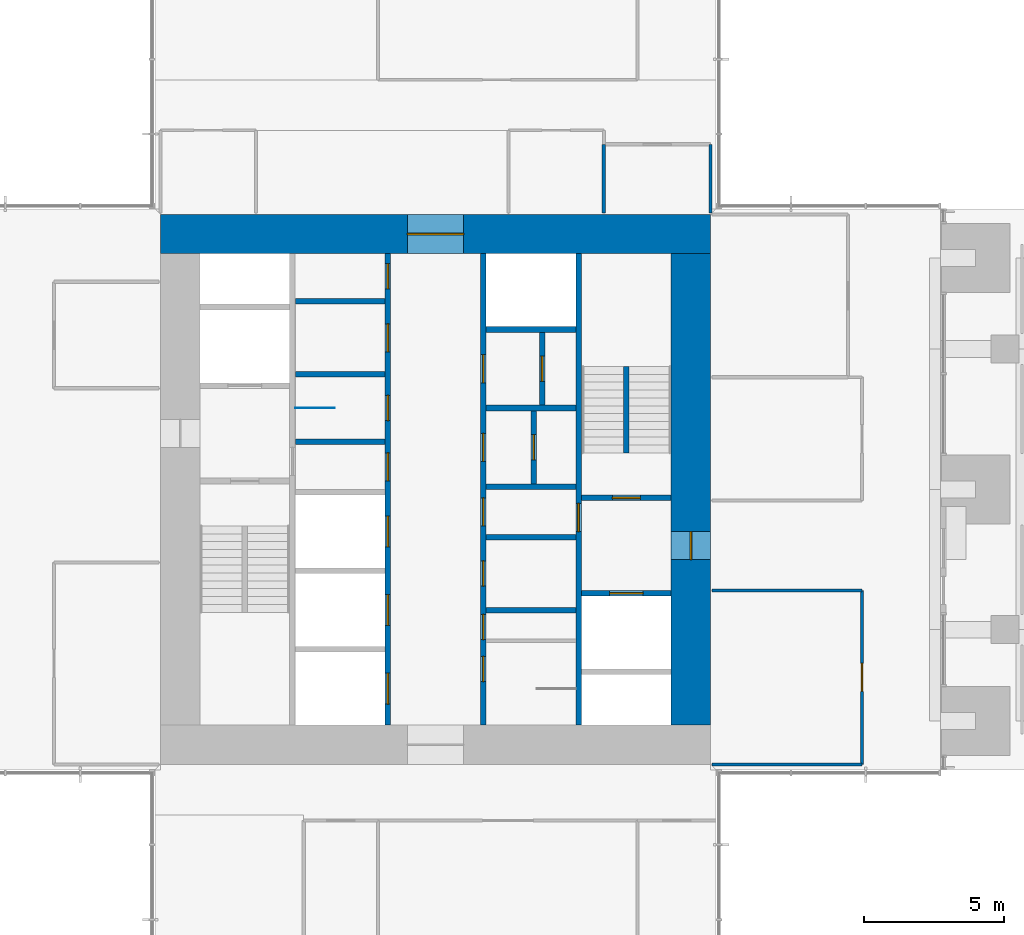
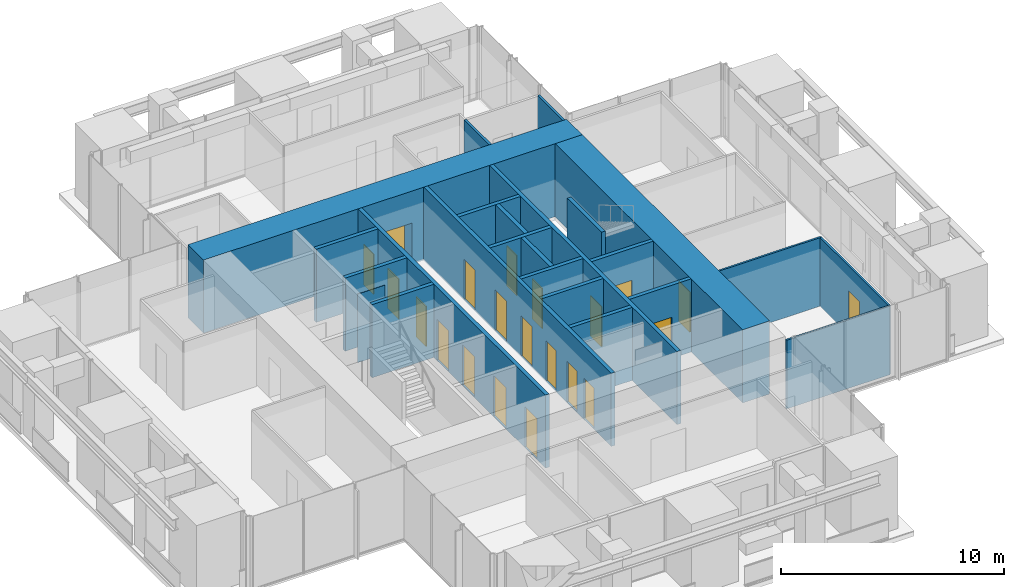
# One storey, part 13 of 17: 24 walls, 21 doors, 21 openings.
"""IFC4 building model written with IfcOpenShell, lengths in metres."""

from ifc_helpers import new_model, si_unit, direction, frame, frame_2d, origin, place, context, subcontext, project, spatial, rectangle, extrude, material, layer, layer_set, type_object, element, fill, save


model = new_model("IFC4")

# Units and contexts
model_context = context("Model", 3, precision=1e-05, world=origin(), true_north=direction((0.0, 1.0)))
body_context = subcontext(model_context, "Body", "Model", "MODEL_VIEW")
ifc_project = project(units=[si_unit("LENGTHUNIT", "METRE"), si_unit("AREAUNIT", "SQUARE_METRE"), si_unit("VOLUMEUNIT", "CUBIC_METRE"), si_unit("PLANEANGLEUNIT", "RADIAN"), si_unit("MASSUNIT", "GRAM", prefix="KILO")], contexts=[model_context])

# Site, building, storey
site_placement = place(None, origin())
site = spatial("IfcSite", under=ifc_project, at=site_placement, CompositionType="ELEMENT")
building_placement = place(site_placement, origin())
building = spatial("IfcBuilding", under=site, at=building_placement, Name="Svetlomir Tower", CompositionType="ELEMENT")
storey_placement = place(building_placement, frame((0.0, 0.0, 170.5)))
storey = spatial("IfcBuildingStorey", under=building, at=storey_placement, Name="L40", CompositionType="ELEMENT", Elevation=170.5)

# Wall, openings, doors
ifc_material_1 = material(Name="Concrete C60/75", Category="concrete")
ifc_layer_1 = layer(ifc_material_1, 0.199951171875)
ifc_layer_set_1 = layer_set([ifc_layer_1], Name="Concrete C60/75")
wall_type_1 = type_object("IfcWallType", Name="CORE INNER WALL 200", PredefinedType="SHEAR", material=ifc_layer_set_1)
wall_1_placement = place(storey_placement, frame((19.300048828125, 12.60009765625, -0.050048828125), z_axis=(0.0, 0.0, 1.0), x_axis=(0.0, 1.0, 0.0)))
wall_1 = element("IfcWall", 1, at=wall_1_placement, inside=storey, type_object=wall_type_1, Name="Core inner wall 19.3 L40", PredefinedType="SHEAR", context=body_context, shape_type="SweptSolid", body=[
    extrude(rectangle(XDim=16.7998046875, YDim=0.199951171875, at=frame_2d((8.39990234375, 0.0))), origin(), (0.0, 0.0, 1.0), 4.0),
])
opening_1_placement = place(wall_1_placement, frame((8.699951171875, 0.0, 0.050048828125)))
opening_1 = element("IfcOpeningElement", 2, at=opening_1_placement, cuts=wall_1, Name="Opening DC", PredefinedType="OPENING", context=body_context, shape_type="SweptSolid", body=[
    extrude(rectangle(XDim=1.0, YDim=2.199951171875, at=frame_2d((0.5, 1.10009765625))), frame((0.0, 0.10986328125, 0.0), z_axis=(0.0, -1.0, 0.0), x_axis=(1.0, 0.0, 0.0)), (0.0, 0.0, 1.0), 0.219970703125),
])
opening_2_placement = place(wall_1_placement, frame((10.85009765625, 0.0, 0.050048828125)))
opening_2 = element("IfcOpeningElement", 3, at=opening_2_placement, cuts=wall_1, Name="Opening DW", PredefinedType="OPENING", context=body_context, shape_type="SweptSolid", body=[
    extrude(rectangle(XDim=0.89990234375, YDim=2.199951171875, at=frame_2d((0.449951171875, 1.10009765625))), frame((0.0, 0.10986328125, 0.0), z_axis=(0.0, -1.0, 0.0), x_axis=(1.0, 0.0, 0.0)), (0.0, 0.0, 1.0), 0.219970703125),
])
opening_3_placement = place(wall_1_placement, frame((13.300048828125, 0.0, 0.050048828125)))
opening_3 = element("IfcOpeningElement", 4, at=opening_3_placement, cuts=wall_1, Name="Opening DC", PredefinedType="OPENING", context=body_context, shape_type="SweptSolid", body=[
    extrude(rectangle(XDim=1.0, YDim=2.199951171875, at=frame_2d((0.5, 1.10009765625))), frame((0.0, 0.10986328125, 0.0), z_axis=(0.0, -1.0, 0.0), x_axis=(1.0, 0.0, 0.0)), (0.0, 0.0, 1.0), 0.219970703125),
])
opening_4_placement = place(wall_1_placement, frame((15.550048828125, 0.0, 0.050048828125)))
opening_4 = element("IfcOpeningElement", 5, at=opening_4_placement, cuts=wall_1, Name="Opening DW", PredefinedType="OPENING", context=body_context, shape_type="SweptSolid", body=[
    extrude(rectangle(XDim=0.89990234375, YDim=2.199951171875, at=frame_2d((0.449951171875, 1.10009765625))), frame((0.0, 0.10986328125, 0.0), z_axis=(0.0, -1.0, 0.0), x_axis=(1.0, 0.0, 0.0)), (0.0, 0.0, 1.0), 0.219970703125),
])
opening_5_placement = place(wall_1_placement, frame((0.75, 0.0, 0.050048828125)))
opening_5 = element("IfcOpeningElement", 6, at=opening_5_placement, cuts=wall_1, Name="Opening LD", PredefinedType="OPENING", context=body_context, shape_type="SweptSolid", body=[
    extrude(rectangle(XDim=1.10009765625, YDim=2.199951171875, at=frame_2d((0.550048828125, 1.10009765625))), frame((0.0, 0.10986328125, 0.0), z_axis=(0.0, -1.0, 0.0), x_axis=(1.0, 0.0, 0.0)), (0.0, 0.0, 1.0), 0.219970703125),
])
opening_6_placement = place(wall_1_placement, frame((3.550048828125, 0.0, 0.050048828125)))
opening_6 = element("IfcOpeningElement", 7, at=opening_6_placement, cuts=wall_1, Name="Opening LD", PredefinedType="OPENING", context=body_context, shape_type="SweptSolid", body=[
    extrude(rectangle(XDim=1.10009765625, YDim=2.199951171875, at=frame_2d((0.550048828125, 1.10009765625))), frame((0.0, 0.10986328125, 0.0), z_axis=(0.0, -1.0, 0.0), x_axis=(1.0, 0.0, 0.0)), (0.0, 0.0, 1.0), 0.219970703125),
])
opening_7_placement = place(wall_1_placement, frame((6.35009765625, 0.0, 0.050048828125)))
opening_7 = element("IfcOpeningElement", 8, at=opening_7_placement, cuts=wall_1, Name="Opening LD", PredefinedType="OPENING", context=body_context, shape_type="SweptSolid", body=[
    extrude(rectangle(XDim=1.10009765625, YDim=2.199951171875, at=frame_2d((0.550048828125, 1.10009765625))), frame((0.0, 0.10986328125, 0.0), z_axis=(0.0, -1.0, 0.0), x_axis=(1.0, 0.0, 0.0)), (0.0, 0.0, 1.0), 0.219970703125),
])
ifc_material_2 = material(Name="Timber fire door", Category="wood")
door_type_1 = type_object("IfcDoorType", Name="DOOR DC 1000x2200", OperationType="SINGLE_SWING_LEFT", PredefinedType="DOOR", material=ifc_material_2)
door_1_placement = place(opening_1_placement, origin())
door_1 = element("IfcDoor", 9, at=door_1_placement, inside=storey, type_object=door_type_1, Name="Core corridor west lobby door L40", OperationType="SINGLE_SWING_RIGHT", OverallHeight=2.199951171875, OverallWidth=1.0, PredefinedType="DOOR", context=body_context, shape_type="SweptSolid", body=[
    extrude(rectangle(XDim=1.0, YDim=2.199951171875, at=frame_2d((0.5, 1.10009765625))), frame((0.0, 0.02490234375, 0.0), z_axis=(0.0, -1.0, 0.0), x_axis=(1.0, 0.0, 0.0)), (0.0, 0.0, 1.0), 0.050048828125),
])
fill(opening_1, door_1)
door_2_placement = place(opening_3_placement, origin())
door_2 = element("IfcDoor", 10, at=door_2_placement, inside=storey, type_object=door_type_1, Name="Accessible WC door L40", OperationType="SINGLE_SWING_LEFT", OverallHeight=2.199951171875, OverallWidth=1.0, PredefinedType="DOOR", context=body_context, shape_type="SweptSolid", body=[
    extrude(rectangle(XDim=1.0, YDim=2.199951171875, at=frame_2d((0.5, 1.10009765625))), frame((0.0, 0.02490234375, 0.0), z_axis=(0.0, -1.0, 0.0), x_axis=(1.0, 0.0, 0.0)), (0.0, 0.0, 1.0), 0.050048828125),
])
fill(opening_3, door_2)
ifc_material_3 = material(Name="Timber fire door", Category="wood")
door_type_2 = type_object("IfcDoorType", Name="DOOR DW 900x2200", OperationType="SINGLE_SWING_LEFT", PredefinedType="DOOR", material=ifc_material_3)
door_3_placement = place(opening_2_placement, origin())
door_3 = element("IfcDoor", 11, at=door_3_placement, inside=storey, type_object=door_type_2, Name="Female WC door L40", OperationType="SINGLE_SWING_RIGHT", OverallHeight=2.199951171875, OverallWidth=0.89990234375, PredefinedType="DOOR", context=body_context, shape_type="SweptSolid", body=[
    extrude(rectangle(XDim=0.89990234375, YDim=2.199951171875, at=frame_2d((0.449951171875, 1.10009765625))), frame((0.0, 0.02490234375, 0.0), z_axis=(0.0, -1.0, 0.0), x_axis=(1.0, 0.0, 0.0)), (0.0, 0.0, 1.0), 0.050048828125),
])
fill(opening_2, door_3)
door_4_placement = place(opening_4_placement, origin())
door_4 = element("IfcDoor", 12, at=door_4_placement, inside=storey, type_object=door_type_2, Name="Cleaner's store door L40", OperationType="SINGLE_SWING_RIGHT", OverallHeight=2.199951171875, OverallWidth=0.89990234375, PredefinedType="DOOR", context=body_context, shape_type="SweptSolid", body=[
    extrude(rectangle(XDim=0.89990234375, YDim=2.199951171875, at=frame_2d((0.449951171875, 1.10009765625))), frame((0.0, 0.02490234375, 0.0), z_axis=(0.0, -1.0, 0.0), x_axis=(1.0, 0.0, 0.0)), (0.0, 0.0, 1.0), 0.050048828125),
])
fill(opening_4, door_4)
ifc_material_4 = material(Name="Stainless steel landing door", Category="steel")
door_type_3 = type_object("IfcDoorType", Name="LIFT LANDING DOOR LD 1100x2200", OperationType="DOUBLE_DOOR_SLIDING", PredefinedType="DOOR", material=ifc_material_4)
door_5_placement = place(opening_5_placement, origin())
door_5 = element("IfcDoor", 13, at=door_5_placement, inside=storey, type_object=door_type_3, Name="Landing door lift LC1 L40", OperationType="DOUBLE_DOOR_SLIDING", OverallHeight=2.199951171875, OverallWidth=1.10009765625, PredefinedType="DOOR", context=body_context, shape_type="SweptSolid", body=[
    extrude(rectangle(XDim=1.10009765625, YDim=2.199951171875, at=frame_2d((0.550048828125, 1.10009765625))), frame((0.0, 0.02490234375, 0.0), z_axis=(0.0, -1.0, 0.0), x_axis=(1.0, 0.0, 0.0)), (0.0, 0.0, 1.0), 0.050048828125),
])
fill(opening_5, door_5)
door_6_placement = place(opening_6_placement, origin())
door_6 = element("IfcDoor", 14, at=door_6_placement, inside=storey, type_object=door_type_3, Name="Landing door lift LC2 L40", OperationType="DOUBLE_DOOR_SLIDING", OverallHeight=2.199951171875, OverallWidth=1.10009765625, PredefinedType="DOOR", context=body_context, shape_type="SweptSolid", body=[
    extrude(rectangle(XDim=1.10009765625, YDim=2.199951171875, at=frame_2d((0.550048828125, 1.10009765625))), frame((0.0, 0.02490234375, 0.0), z_axis=(0.0, -1.0, 0.0), x_axis=(1.0, 0.0, 0.0)), (0.0, 0.0, 1.0), 0.050048828125),
])
fill(opening_6, door_6)
door_7_placement = place(opening_7_placement, origin())
door_7 = element("IfcDoor", 15, at=door_7_placement, inside=storey, type_object=door_type_3, Name="Landing door lift LC3 L40", OperationType="DOUBLE_DOOR_SLIDING", OverallHeight=2.199951171875, OverallWidth=1.10009765625, PredefinedType="DOOR", context=body_context, shape_type="SweptSolid", body=[
    extrude(rectangle(XDim=1.10009765625, YDim=2.199951171875, at=frame_2d((0.550048828125, 1.10009765625))), frame((0.0, 0.02490234375, 0.0), z_axis=(0.0, -1.0, 0.0), x_axis=(1.0, 0.0, 0.0)), (0.0, 0.0, 1.0), 0.050048828125),
])
fill(opening_7, door_7)

wall_2_placement = place(storey_placement, frame((22.699951171875, 12.60009765625, -0.050048828125), z_axis=(0.0, 0.0, 1.0), x_axis=(0.0, 1.0, 0.0)))
wall_2 = element("IfcWall", 16, at=wall_2_placement, inside=storey, type_object=wall_type_1, Name="Core inner wall 22.7 L40", PredefinedType="SHEAR", context=body_context, shape_type="SweptSolid", body=[
    extrude(rectangle(XDim=16.7998046875, YDim=0.199951171875, at=frame_2d((8.39990234375, 0.0))), origin(), (0.0, 0.0, 1.0), 4.0),
])
opening_8_placement = place(wall_2_placement, frame((3.050048828125, 0.0, 0.050048828125)))
opening_8 = element("IfcOpeningElement", 17, at=opening_8_placement, cuts=wall_2, Name="Opening DW", PredefinedType="OPENING", context=body_context, shape_type="SweptSolid", body=[
    extrude(rectangle(XDim=0.89990234375, YDim=2.199951171875, at=frame_2d((0.449951171875, 1.10009765625))), frame((0.0, 0.10986328125, 0.0), z_axis=(0.0, -1.0, 0.0), x_axis=(1.0, 0.0, 0.0)), (0.0, 0.0, 1.0), 0.219970703125),
])
opening_9_placement = place(wall_2_placement, frame((7.10009765625, 0.0, 0.050048828125)))
opening_9 = element("IfcOpeningElement", 18, at=opening_9_placement, cuts=wall_2, Name="Opening DC", PredefinedType="OPENING", context=body_context, shape_type="SweptSolid", body=[
    extrude(rectangle(XDim=1.0, YDim=2.199951171875, at=frame_2d((0.5, 1.10009765625))), frame((0.0, 0.10986328125, 0.0), z_axis=(0.0, -1.0, 0.0), x_axis=(1.0, 0.0, 0.0)), (0.0, 0.0, 1.0), 0.219970703125),
])
opening_10_placement = place(wall_2_placement, frame((1.550048828125, 0.0, 0.050048828125)))
opening_10 = element("IfcOpeningElement", 19, at=opening_10_placement, cuts=wall_2, Name="Opening DW", PredefinedType="OPENING", context=body_context, shape_type="SweptSolid", body=[
    extrude(rectangle(XDim=0.89990234375, YDim=2.199951171875, at=frame_2d((0.449951171875, 1.10009765625))), frame((0.0, 0.10986328125, 0.0), z_axis=(0.0, -1.0, 0.0), x_axis=(1.0, 0.0, 0.0)), (0.0, 0.0, 1.0), 0.219970703125),
])
opening_11_placement = place(wall_2_placement, frame((4.949951171875, 0.0, 0.050048828125)))
opening_11 = element("IfcOpeningElement", 20, at=opening_11_placement, cuts=wall_2, Name="Opening DW", PredefinedType="OPENING", context=body_context, shape_type="SweptSolid", body=[
    extrude(rectangle(XDim=0.89990234375, YDim=2.199951171875, at=frame_2d((0.449951171875, 1.10009765625))), frame((0.0, 0.10986328125, 0.0), z_axis=(0.0, -1.0, 0.0), x_axis=(1.0, 0.0, 0.0)), (0.0, 0.0, 1.0), 0.219970703125),
])
opening_12_placement = place(wall_2_placement, frame((9.39990234375, 0.0, 0.050048828125)))
opening_12 = element("IfcOpeningElement", 21, at=opening_12_placement, cuts=wall_2, Name="Opening DC", PredefinedType="OPENING", context=body_context, shape_type="SweptSolid", body=[
    extrude(rectangle(XDim=1.0, YDim=2.199951171875, at=frame_2d((0.5, 1.10009765625))), frame((0.0, 0.10986328125, 0.0), z_axis=(0.0, -1.0, 0.0), x_axis=(1.0, 0.0, 0.0)), (0.0, 0.0, 1.0), 0.219970703125),
])
opening_13_placement = place(wall_2_placement, frame((12.199951171875, 0.0, 0.050048828125)))
opening_13 = element("IfcOpeningElement", 22, at=opening_13_placement, cuts=wall_2, Name="Opening DC", PredefinedType="OPENING", context=body_context, shape_type="SweptSolid", body=[
    extrude(rectangle(XDim=1.0, YDim=2.199951171875, at=frame_2d((0.5, 1.10009765625))), frame((0.0, 0.10986328125, 0.0), z_axis=(0.0, -1.0, 0.0), x_axis=(1.0, 0.0, 0.0)), (0.0, 0.0, 1.0), 0.219970703125),
])
door_8_placement = place(opening_9_placement, origin())
door_8 = element("IfcDoor", 23, at=door_8_placement, inside=storey, type_object=door_type_1, Name="Core corridor east lobby door L40", OperationType="SINGLE_SWING_LEFT", OverallHeight=2.199951171875, OverallWidth=1.0, PredefinedType="DOOR", context=body_context, shape_type="SweptSolid", body=[
    extrude(rectangle(XDim=1.0, YDim=2.199951171875, at=frame_2d((0.5, 1.10009765625))), frame((0.0, 0.02490234375, 0.0), z_axis=(0.0, -1.0, 0.0), x_axis=(1.0, 0.0, 0.0)), (0.0, 0.0, 1.0), 0.050048828125),
])
fill(opening_9, door_8)
door_9_placement = place(opening_12_placement, origin())
door_9 = element("IfcDoor", 24, at=door_9_placement, inside=storey, type_object=door_type_1, Name="Converted shaft BANK-E1 room door L40", OperationType="SINGLE_SWING_LEFT", OverallHeight=2.199951171875, OverallWidth=1.0, PredefinedType="DOOR", context=body_context, shape_type="SweptSolid", body=[
    extrude(rectangle(XDim=1.0, YDim=2.199951171875, at=frame_2d((0.5, 1.10009765625))), frame((0.0, 0.02490234375, 0.0), z_axis=(0.0, -1.0, 0.0), x_axis=(1.0, 0.0, 0.0)), (0.0, 0.0, 1.0), 0.050048828125),
])
fill(opening_12, door_9)
door_10_placement = place(opening_13_placement, origin())
door_10 = element("IfcDoor", 25, at=door_10_placement, inside=storey, type_object=door_type_1, Name="Converted shaft BANK-E2 room door L40", OperationType="SINGLE_SWING_LEFT", OverallHeight=2.199951171875, OverallWidth=1.0, PredefinedType="DOOR", context=body_context, shape_type="SweptSolid", body=[
    extrude(rectangle(XDim=1.0, YDim=2.199951171875, at=frame_2d((0.5, 1.10009765625))), frame((0.0, 0.02490234375, 0.0), z_axis=(0.0, -1.0, 0.0), x_axis=(1.0, 0.0, 0.0)), (0.0, 0.0, 1.0), 0.050048828125),
])
fill(opening_13, door_10)
door_11_placement = place(opening_8_placement, origin())
door_11 = element("IfcDoor", 26, at=door_11_placement, inside=storey, type_object=door_type_2, Name="Shower and changing room door L40", OperationType="SINGLE_SWING_LEFT", OverallHeight=2.199951171875, OverallWidth=0.89990234375, PredefinedType="DOOR", context=body_context, shape_type="SweptSolid", body=[
    extrude(rectangle(XDim=0.89990234375, YDim=2.199951171875, at=frame_2d((0.449951171875, 1.10009765625))), frame((0.0, 0.02490234375, 0.0), z_axis=(0.0, -1.0, 0.0), x_axis=(1.0, 0.0, 0.0)), (0.0, 0.0, 1.0), 0.050048828125),
])
fill(opening_8, door_11)
door_12_placement = place(opening_10_placement, origin())
door_12 = element("IfcDoor", 27, at=door_12_placement, inside=storey, type_object=door_type_2, Name="Male WC door L40", OperationType="SINGLE_SWING_RIGHT", OverallHeight=2.199951171875, OverallWidth=0.89990234375, PredefinedType="DOOR", context=body_context, shape_type="SweptSolid", body=[
    extrude(rectangle(XDim=0.89990234375, YDim=2.199951171875, at=frame_2d((0.449951171875, 1.10009765625))), frame((0.0, 0.02490234375, 0.0), z_axis=(0.0, -1.0, 0.0), x_axis=(1.0, 0.0, 0.0)), (0.0, 0.0, 1.0), 0.050048828125),
])
fill(opening_10, door_12)
door_13_placement = place(opening_11_placement, origin())
door_13 = element("IfcDoor", 28, at=door_13_placement, inside=storey, type_object=door_type_2, Name="Comms room door L40", OperationType="SINGLE_SWING_RIGHT", OverallHeight=2.199951171875, OverallWidth=0.89990234375, PredefinedType="DOOR", context=body_context, shape_type="SweptSolid", body=[
    extrude(rectangle(XDim=0.89990234375, YDim=2.199951171875, at=frame_2d((0.449951171875, 1.10009765625))), frame((0.0, 0.02490234375, 0.0), z_axis=(0.0, -1.0, 0.0), x_axis=(1.0, 0.0, 0.0)), (0.0, 0.0, 1.0), 0.050048828125),
])
fill(opening_11, door_13)

# Wall, opening, door
wall_3_placement = place(storey_placement, frame((26.10009765625, 12.60009765625, -0.050048828125), z_axis=(0.0, 0.0, 1.0), x_axis=(0.0, 1.0, 0.0)))
wall_3 = element("IfcWall", 29, at=wall_3_placement, inside=storey, type_object=wall_type_1, Name="Core inner wall 26.1 L40", PredefinedType="SHEAR", context=body_context, shape_type="SweptSolid", body=[
    extrude(rectangle(XDim=16.7998046875, YDim=0.199951171875, at=frame_2d((8.39990234375, 0.0))), origin(), (0.0, 0.0, 1.0), 4.0),
])
opening_14_placement = place(wall_3_placement, frame((6.89990234375, 0.0, 0.050048828125)))
opening_14 = element("IfcOpeningElement", 30, at=opening_14_placement, cuts=wall_3, Name="Opening DF", PredefinedType="OPENING", context=body_context, shape_type="SweptSolid", body=[
    extrude(rectangle(XDim=1.0, YDim=2.199951171875, at=frame_2d((0.5, 1.10009765625))), frame((0.0, 0.10986328125, 0.0), z_axis=(0.0, -1.0, 0.0), x_axis=(1.0, 0.0, 0.0)), (0.0, 0.0, 1.0), 0.219970703125),
])
ifc_material_5 = material(Name="Steel fire door", Category="steel")
door_type_4 = type_object("IfcDoorType", Name="DOOR DF 1000x2200", OperationType="SINGLE_SWING_LEFT", PredefinedType="DOOR", material=ifc_material_5)
door_14_placement = place(opening_14_placement, origin())
door_14 = element("IfcDoor", 31, at=door_14_placement, inside=storey, type_object=door_type_4, Name="Core corridor east door L40", OperationType="SINGLE_SWING_LEFT", OverallHeight=2.199951171875, OverallWidth=1.0, PredefinedType="DOOR", context=body_context, shape_type="SweptSolid", body=[
    extrude(rectangle(XDim=1.0, YDim=2.199951171875, at=frame_2d((0.5, 1.10009765625))), frame((0.0, 0.02490234375, 0.0), z_axis=(0.0, -1.0, 0.0), x_axis=(1.0, 0.0, 0.0)), (0.0, 0.0, 1.0), 0.050048828125),
])
fill(opening_14, door_14)

# Walls
for number, where, z_axis, x_axis, name in (
    (32, (16.0, 22.699951171875, -0.050048828125), (0.0, 0.0, 1.0), (1.0, 0.0, 0.0), "Core inner wall 16-19.2/22.7 L40"),
    (33, (16.0, 25.10009765625, -0.050048828125), (0.0, 0.0, 1.0), (1.0, 0.0, 0.0), "Core inner wall 16-19.2/25.1 L40"),
    (34, (16.0, 27.699951171875, -0.050048828125), (0.0, 0.0, 1.0), (1.0, 0.0, 0.0), "Core inner wall 16-19.2/27.7 L40"),
    (35, (22.800048828125, 16.699951171875, -0.050048828125), (0.0, 0.0, 1.0), (1.0, 0.0, 0.0), "Core inner wall 22.8-26/16.7 L40"),
    (36, (22.800048828125, 19.300048828125, -0.050048828125), (0.0, 0.0, 1.0), (1.0, 0.0, 0.0), "Core inner wall 22.8-26/19.3 L40"),
    (37, (22.800048828125, 21.10009765625, -0.050048828125), (0.0, 0.0, 1.0), (1.0, 0.0, 0.0), "Core inner wall 22.8-26/21.1 L40"),
    (38, (22.800048828125, 23.89990234375, -0.050048828125), (0.0, 0.0, 1.0), (1.0, 0.0, 0.0), "Core inner wall 22.8-26/23.9 L40"),
    (39, (22.800048828125, 26.699951171875, -0.050048828125), (0.0, 0.0, 1.0), (1.0, 0.0, 0.0), "Core inner wall 22.8-26/26.7 L40"),
):
    element("IfcWall", number, at=place(storey_placement, frame(where, z_axis=z_axis, x_axis=x_axis)), inside=storey, type_object=wall_type_1, Name=name, PredefinedType="SHEAR", context=body_context, shape_type="SweptSolid", body=[
        extrude(rectangle(XDim=3.199951171875, YDim=0.199951171875, at=frame_2d((1.60009765625, 0.0))), origin(), (0.0, 0.0, 1.0), 4.0),
    ])

# Wall, opening, door
wall_4_placement = place(storey_placement, frame((26.199951171875, 17.300048828125, -0.050048828125), z_axis=(0.0, 0.0, 1.0), x_axis=(1.0, 0.0, 0.0)))
wall_4 = element("IfcWall", 40, at=wall_4_placement, inside=storey, type_object=wall_type_1, Name="Core inner wall 26.2-29.4/17.3 L40", PredefinedType="SHEAR", context=body_context, shape_type="SweptSolid", body=[
    extrude(rectangle(XDim=3.199951171875, YDim=0.199951171875, at=frame_2d((1.60009765625, 0.0))), origin(), (0.0, 0.0, 1.0), 4.0),
])
opening_15_placement = place(wall_4_placement, frame((1.0, 0.0, 0.050048828125)))
opening_15 = element("IfcOpeningElement", 41, at=opening_15_placement, cuts=wall_4, Name="Opening LD3", PredefinedType="OPENING", context=body_context, shape_type="SweptSolid", body=[
    extrude(rectangle(XDim=1.199951171875, YDim=2.199951171875, at=frame_2d((0.60009765625, 1.10009765625))), frame((0.0, 0.10986328125, 0.0), z_axis=(0.0, -1.0, 0.0), x_axis=(1.0, 0.0, 0.0)), (0.0, 0.0, 1.0), 0.219970703125),
])
ifc_material_6 = material(Name="Stainless steel fire-rated landing door", Category="steel")
door_type_5 = type_object("IfcDoorType", Name="FIREFIGHTING LIFT LANDING DOOR LD3 1200x2200", OperationType="DOUBLE_DOOR_SLIDING", PredefinedType="DOOR", material=ifc_material_6)
door_15_placement = place(opening_15_placement, origin())
door_15 = element("IfcDoor", 42, at=door_15_placement, inside=storey, type_object=door_type_5, Name="Landing door lift FL2 L40", OperationType="DOUBLE_DOOR_SLIDING", OverallHeight=2.199951171875, OverallWidth=1.199951171875, PredefinedType="DOOR", context=body_context, shape_type="SweptSolid", body=[
    extrude(rectangle(XDim=1.199951171875, YDim=2.199951171875, at=frame_2d((0.60009765625, 1.10009765625))), frame((0.0, 0.02490234375, 0.0), z_axis=(0.0, -1.0, 0.0), x_axis=(1.0, 0.0, 0.0)), (0.0, 0.0, 1.0), 0.050048828125),
])
fill(opening_15, door_15)

wall_5_placement = place(storey_placement, frame((26.199951171875, 20.699951171875, -0.050048828125), z_axis=(0.0, 0.0, 1.0), x_axis=(1.0, 0.0, 0.0)))
wall_5 = element("IfcWall", 43, at=wall_5_placement, inside=storey, type_object=wall_type_1, Name="Core inner wall 26.2-29.4/20.7 L40", PredefinedType="SHEAR", context=body_context, shape_type="SweptSolid", body=[
    extrude(rectangle(XDim=3.199951171875, YDim=0.199951171875, at=frame_2d((1.60009765625, 0.0))), origin(), (0.0, 0.0, 1.0), 4.0),
])
opening_16_placement = place(wall_5_placement, frame((1.10009765625, 0.0, 0.050048828125)))
opening_16 = element("IfcOpeningElement", 44, at=opening_16_placement, cuts=wall_5, Name="Opening DF", PredefinedType="OPENING", context=body_context, shape_type="SweptSolid", body=[
    extrude(rectangle(XDim=1.0, YDim=2.199951171875, at=frame_2d((0.5, 1.10009765625))), frame((0.0, 0.10986328125, 0.0), z_axis=(0.0, -1.0, 0.0), x_axis=(1.0, 0.0, 0.0)), (0.0, 0.0, 1.0), 0.219970703125),
])
door_16_placement = place(opening_16_placement, origin())
door_16 = element("IfcDoor", 45, at=door_16_placement, inside=storey, type_object=door_type_4, Name="Stair S2 door L40", OperationType="SINGLE_SWING_LEFT", OverallHeight=2.199951171875, OverallWidth=1.0, PredefinedType="DOOR", context=body_context, shape_type="SweptSolid", body=[
    extrude(rectangle(XDim=1.0, YDim=2.199951171875, at=frame_2d((0.5, 1.10009765625))), frame((0.0, 0.02490234375, 0.0), z_axis=(0.0, -1.0, 0.0), x_axis=(1.0, 0.0, 0.0)), (0.0, 0.0, 1.0), 0.050048828125),
])
fill(opening_16, door_16)

wall_6_placement = place(storey_placement, frame((24.5, 21.199951171875, -0.050048828125), z_axis=(0.0, 0.0, 1.0), x_axis=(0.0, 1.0, 0.0)))
wall_6 = element("IfcWall", 46, at=wall_6_placement, inside=storey, type_object=wall_type_1, Name="Core inner wall 24.5/21.2-23.8 L40", PredefinedType="SHEAR", context=body_context, shape_type="SweptSolid", body=[
    extrude(rectangle(XDim=2.60009765625, YDim=0.199951171875, at=frame_2d((1.300048828125, 0.0))), origin(), (0.0, 0.0, 1.0), 4.0),
])
opening_17_placement = place(wall_6_placement, frame((0.85009765625, 0.0, 0.050048828125)))
opening_17 = element("IfcOpeningElement", 47, at=opening_17_placement, cuts=wall_6, Name="Opening DW", PredefinedType="OPENING", context=body_context, shape_type="SweptSolid", body=[
    extrude(rectangle(XDim=0.89990234375, YDim=2.199951171875, at=frame_2d((0.449951171875, 1.10009765625))), frame((0.0, 0.10986328125, 0.0), z_axis=(0.0, -1.0, 0.0), x_axis=(1.0, 0.0, 0.0)), (0.0, 0.0, 1.0), 0.219970703125),
])
door_17_placement = place(opening_17_placement, origin())
door_17 = element("IfcDoor", 48, at=door_17_placement, inside=storey, type_object=door_type_2, Name="Converted shaft BANK-E1 back room door L40", OperationType="SINGLE_SWING_RIGHT", OverallHeight=2.199951171875, OverallWidth=0.89990234375, PredefinedType="DOOR", context=body_context, shape_type="SweptSolid", body=[
    extrude(rectangle(XDim=0.89990234375, YDim=2.199951171875, at=frame_2d((0.449951171875, 1.10009765625))), frame((0.0, 0.02490234375, 0.0), z_axis=(0.0, -1.0, 0.0), x_axis=(1.0, 0.0, 0.0)), (0.0, 0.0, 1.0), 0.050048828125),
])
fill(opening_17, door_17)

wall_7_placement = place(storey_placement, frame((24.800048828125, 24.0, -0.050048828125), z_axis=(0.0, 0.0, 1.0), x_axis=(0.0, 1.0, 0.0)))
wall_7 = element("IfcWall", 49, at=wall_7_placement, inside=storey, type_object=wall_type_1, Name="Core inner wall 24.8/24-26.6 L40", PredefinedType="SHEAR", context=body_context, shape_type="SweptSolid", body=[
    extrude(rectangle(XDim=2.60009765625, YDim=0.199951171875, at=frame_2d((1.300048828125, 0.0))), origin(), (0.0, 0.0, 1.0), 4.0),
])
opening_18_placement = place(wall_7_placement, frame((0.85009765625, 0.0, 0.050048828125)))
opening_18 = element("IfcOpeningElement", 50, at=opening_18_placement, cuts=wall_7, Name="Opening DW", PredefinedType="OPENING", context=body_context, shape_type="SweptSolid", body=[
    extrude(rectangle(XDim=0.89990234375, YDim=2.199951171875, at=frame_2d((0.449951171875, 1.10009765625))), frame((0.0, 0.10986328125, 0.0), z_axis=(0.0, -1.0, 0.0), x_axis=(1.0, 0.0, 0.0)), (0.0, 0.0, 1.0), 0.219970703125),
])
door_18_placement = place(opening_18_placement, origin())
door_18 = element("IfcDoor", 51, at=door_18_placement, inside=storey, type_object=door_type_2, Name="Converted shaft BANK-E2 back room door L40", OperationType="SINGLE_SWING_RIGHT", OverallHeight=2.199951171875, OverallWidth=0.89990234375, PredefinedType="DOOR", context=body_context, shape_type="SweptSolid", body=[
    extrude(rectangle(XDim=0.89990234375, YDim=2.199951171875, at=frame_2d((0.449951171875, 1.10009765625))), frame((0.0, 0.02490234375, 0.0), z_axis=(0.0, -1.0, 0.0), x_axis=(1.0, 0.0, 0.0)), (0.0, 0.0, 1.0), 0.050048828125),
])
fill(opening_18, door_18)

ifc_material_7 = material(Name="Concrete C60/75", Category="concrete")
ifc_layer_2 = layer(ifc_material_7, 1.39990234375)
ifc_layer_set_2 = layer_set([ifc_layer_2], Name="Concrete C60/75")
wall_type_2 = type_object("IfcWallType", Name="CORE WALL 1400", PredefinedType="SHEAR", material=ifc_layer_set_2)
wall_8_placement = place(storey_placement, frame((11.199951171875, 30.10009765625, -0.050048828125), z_axis=(0.0, 0.0, 1.0), x_axis=(1.0, 0.0, 0.0)))
wall_8 = element("IfcWall", 52, at=wall_8_placement, inside=storey, type_object=wall_type_2, Name="Core wall north L40", PredefinedType="SHEAR", context=body_context, shape_type="SweptSolid", body=[
    extrude(rectangle(XDim=19.60009765625, YDim=1.39990234375, at=frame_2d((9.800048828125, 0.0))), origin(), (0.0, 0.0, 1.0), 4.0),
])
opening_19_placement = place(wall_8_placement, frame((8.800048828125, 0.0, 0.050048828125)))
opening_19 = element("IfcOpeningElement", 53, at=opening_19_placement, cuts=wall_8, Name="Opening DL", PredefinedType="OPENING", context=body_context, shape_type="SweptSolid", body=[
    extrude(rectangle(XDim=2.0, YDim=2.199951171875, at=frame_2d((1.0, 1.10009765625))), frame((0.0, 0.7099609375, 0.0), z_axis=(0.0, -1.0, 0.0), x_axis=(1.0, 0.0, 0.0)), (0.0, 0.0, 1.0), 1.419921875),
])
ifc_material_8 = material(Name="Steel fire door", Category="steel")
door_type_6 = type_object("IfcDoorType", Name="DOOR DL 2000x2200", OperationType="DOUBLE_DOOR_SINGLE_SWING", PredefinedType="DOOR", material=ifc_material_8)
door_19_placement = place(opening_19_placement, origin())
door_19 = element("IfcDoor", 54, at=door_19_placement, inside=storey, type_object=door_type_6, Name="Lift lobby north door L40", OperationType="DOUBLE_DOOR_SINGLE_SWING", OverallHeight=2.199951171875, OverallWidth=2.0, PredefinedType="DOOR", context=body_context, shape_type="SweptSolid", body=[
    extrude(rectangle(XDim=2.0, YDim=2.199951171875, at=frame_2d((1.0, 1.10009765625))), frame((0.0, 0.02490234375, 0.0), z_axis=(0.0, -1.0, 0.0), x_axis=(1.0, 0.0, 0.0)), (0.0, 0.0, 1.0), 0.050048828125),
])
fill(opening_19, door_19)

wall_9_placement = place(storey_placement, frame((30.10009765625, 12.60009765625, -0.050048828125), z_axis=(0.0, 0.0, 1.0), x_axis=(0.0, 1.0, 0.0)))
wall_9 = element("IfcWall", 55, at=wall_9_placement, inside=storey, type_object=wall_type_2, Name="Core wall east L40", PredefinedType="SHEAR", context=body_context, shape_type="SweptSolid", body=[
    extrude(rectangle(XDim=16.7998046875, YDim=1.39990234375, at=frame_2d((8.39990234375, 0.0))), origin(), (0.0, 0.0, 1.0), 4.0),
])
opening_20_placement = place(wall_9_placement, frame((5.89990234375, 0.0, 0.050048828125)))
opening_20 = element("IfcOpeningElement", 56, at=opening_20_placement, cuts=wall_9, Name="Opening DF", PredefinedType="OPENING", context=body_context, shape_type="SweptSolid", body=[
    extrude(rectangle(XDim=1.0, YDim=2.199951171875, at=frame_2d((0.5, 1.10009765625))), frame((0.0, 0.7099609375, 0.0), z_axis=(0.0, -1.0, 0.0), x_axis=(1.0, 0.0, 0.0)), (0.0, 0.0, 1.0), 1.419921875),
])
door_20_placement = place(opening_20_placement, origin())
door_20 = element("IfcDoor", 57, at=door_20_placement, inside=storey, type_object=door_type_4, Name="Firefighting lobby east door L40", OperationType="SINGLE_SWING_LEFT", OverallHeight=2.199951171875, OverallWidth=1.0, PredefinedType="DOOR", context=body_context, shape_type="SweptSolid", body=[
    extrude(rectangle(XDim=1.0, YDim=2.199951171875, at=frame_2d((0.5, 1.10009765625))), frame((0.0, 0.02490234375, 0.0), z_axis=(0.0, -1.0, 0.0), x_axis=(1.0, 0.0, 0.0)), (0.0, 0.0, 1.0), 0.050048828125),
])
fill(opening_20, door_20)

# Walls
ifc_material_9 = material(Name="Framed laminated glass partition", Category="glass")
ifc_layer_3 = layer(ifc_material_9, 0.10009765625)
ifc_layer_set_3 = layer_set([ifc_layer_3], Name="Framed laminated glass partition")
wall_type_3 = type_object("IfcWallType", Name="GLAZED PARTITION 100", PredefinedType="PARTITIONING", material=ifc_layer_set_3)
for number, where, z_axis, x_axis, name in (
    (58, (30.85009765625, 11.199951171875, 0.0), (0.0, 0.0, 1.0), (1.0, 0.0, 0.0), "Glazed partition L40"),
    (59, (30.85009765625, 17.39990234375, 0.0), (0.0, 0.0, 1.0), (1.0, 0.0, 0.0), "Glazed partition L40"),
):
    element("IfcWall", number, at=place(storey_placement, frame(where, z_axis=z_axis, x_axis=x_axis)), inside=storey, type_object=wall_type_3, Name=name, PredefinedType="PARTITIONING", context=body_context, shape_type="SweptSolid", body=[
        extrude(rectangle(XDim=5.349853515625, YDim=0.10009765625, at=frame_2d((2.6748046875, 0.0))), origin(), (0.0, 0.0, 1.0), 3.75),
    ])

# Wall, opening, door
wall_10_placement = place(storey_placement, frame((36.199951171875, 11.199951171875, 0.0), z_axis=(0.0, 0.0, 1.0), x_axis=(0.0, 1.0, 0.0)))
wall_10 = element("IfcWall", 60, at=wall_10_placement, inside=storey, type_object=wall_type_3, Name="Glazed partition L40", PredefinedType="PARTITIONING", context=body_context, shape_type="SweptSolid", body=[
    extrude(rectangle(XDim=6.199951171875, YDim=0.10009765625, at=frame_2d((3.10009765625, 0.0))), origin(), (0.0, 0.0, 1.0), 3.75),
])
opening_21_placement = place(wall_10_placement, frame((2.60009765625, 0.0, 0.0)))
opening_21 = element("IfcOpeningElement", 61, at=opening_21_placement, cuts=wall_10, Name="Opening DG", PredefinedType="OPENING", context=body_context, shape_type="SweptSolid", body=[
    extrude(rectangle(XDim=1.0, YDim=2.39990234375, at=frame_2d((0.5, 1.199951171875))), frame((0.0, 0.06005859375, 0.0), z_axis=(0.0, -1.0, 0.0), x_axis=(1.0, 0.0, 0.0)), (0.0, 0.0, 1.0), 0.1201171875),
])
ifc_material_10 = material(Name="Framed laminated glass door", Category="glass")
door_type_7 = type_object("IfcDoorType", Name="GLAZED DOOR DG 1000x2400", OperationType="SINGLE_SWING_LEFT", PredefinedType="DOOR", material=ifc_material_10)
door_21_placement = place(opening_21_placement, origin())
door_21 = element("IfcDoor", 62, at=door_21_placement, inside=storey, type_object=door_type_7, Name="Maker space door L40", OperationType="SINGLE_SWING_RIGHT", OverallHeight=2.39990234375, OverallWidth=1.0, PredefinedType="DOOR", context=body_context, shape_type="SweptSolid", body=[
    extrude(rectangle(XDim=1.0, YDim=2.39990234375, at=frame_2d((0.5, 1.199951171875))), frame((0.0, 0.02490234375, 0.0), z_axis=(0.0, -1.0, 0.0), x_axis=(1.0, 0.0, 0.0)), (0.0, 0.0, 1.0), 0.050048828125),
])
fill(opening_21, door_21)

# Walls
ifc_material_11 = material(Name="Gypsum board on steel studs", Category="steel")
ifc_layer_4 = layer(ifc_material_11, 0.1201171875)
ifc_layer_set_4 = layer_set([ifc_layer_4], Name="Gypsum board on steel studs")
wall_type_4 = type_object("IfcWallType", Name="PARTITION 120", PredefinedType="PARTITIONING", material=ifc_layer_set_4)
for number, where, z_axis, x_axis, name in (
    (63, (27.0, 30.85009765625, 0.0), (0.0, 0.0, 1.0), (0.0, 1.0, 0.0), "Partition L40"),
    (64, (30.800048828125, 30.85009765625, 0.0), (0.0, 0.0, 1.0), (0.0, 1.0, 0.0), "Partition L40"),
):
    element("IfcWall", number, at=place(storey_placement, frame(where, z_axis=z_axis, x_axis=x_axis)), inside=storey, type_object=wall_type_4, Name=name, PredefinedType="PARTITIONING", context=body_context, shape_type="SweptSolid", body=[
        extrude(rectangle(XDim=2.449951171875, YDim=0.1201171875, at=frame_2d((1.22509765625, 0.0))), origin(), (0.0, 0.0, 1.0), 3.75),
    ])
ifc_material_12 = material(Name="Concrete C60/75", Category="concrete")
ifc_layer_5 = layer(ifc_material_12, 0.199951171875)
ifc_layer_set_5 = layer_set([ifc_layer_5], Name="Concrete C60/75")
wall_type_5 = type_object("IfcWallType", Name="STAIR SPINE WALL 200", PredefinedType="PARTITIONING", material=ifc_layer_set_5)
wall_11_placement = place(storey_placement, frame((27.800048828125, 22.300048828125, 0.0), z_axis=(0.0, 0.0, 1.0), x_axis=(0.0, 1.0, 0.0)))
element("IfcWall", 65, at=wall_11_placement, inside=storey, type_object=wall_type_5, Name="Stair S2 spine wall L40", PredefinedType="PARTITIONING", context=body_context, shape_type="SweptSolid", body=[
    extrude(rectangle(XDim=3.079833984375, YDim=0.199951171875, at=frame_2d((1.5400390625, 0.0))), origin(), (0.0, 0.0, 1.0), 4.0),
])
ifc_material_13 = material(Name="Compact laminate panel", Category="plastic")
ifc_layer_6 = layer(ifc_material_13, 0.030029296875)
ifc_layer_set_6 = layer_set([ifc_layer_6], Name="Compact laminate panel")
wall_type_6 = type_object("IfcWallType", Name="WC CUBICLE PARTITION 30", PredefinedType="PARTITIONING", material=ifc_layer_set_6)
wall_12_placement = place(storey_placement, frame((16.0, 23.89990234375, 0.0), z_axis=(0.0, 0.0, 1.0), x_axis=(1.0, 0.0, 0.0)))
element("IfcWall", 66, at=wall_12_placement, inside=storey, type_object=wall_type_6, Name="WC cubicle partition L40", PredefinedType="PARTITIONING", context=body_context, shape_type="SweptSolid", body=[
    extrude(rectangle(XDim=1.39990234375, YDim=0.030029296875, at=frame_2d((0.699951171875, 0.0))), origin(), (0.0, 0.0, 1.0), 3.75),
])

save(model, "model.ifc")
